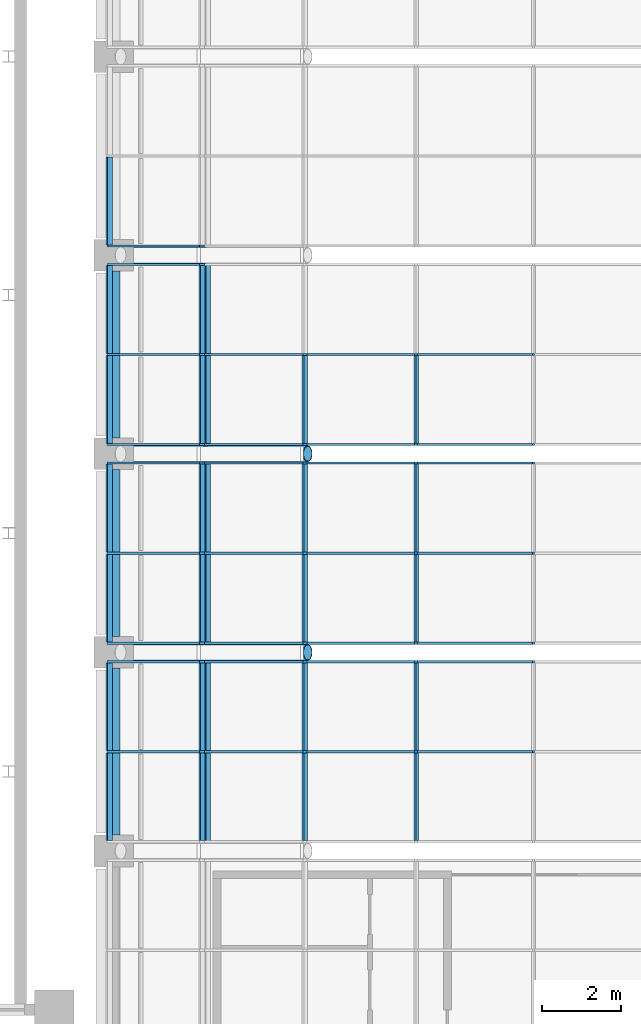
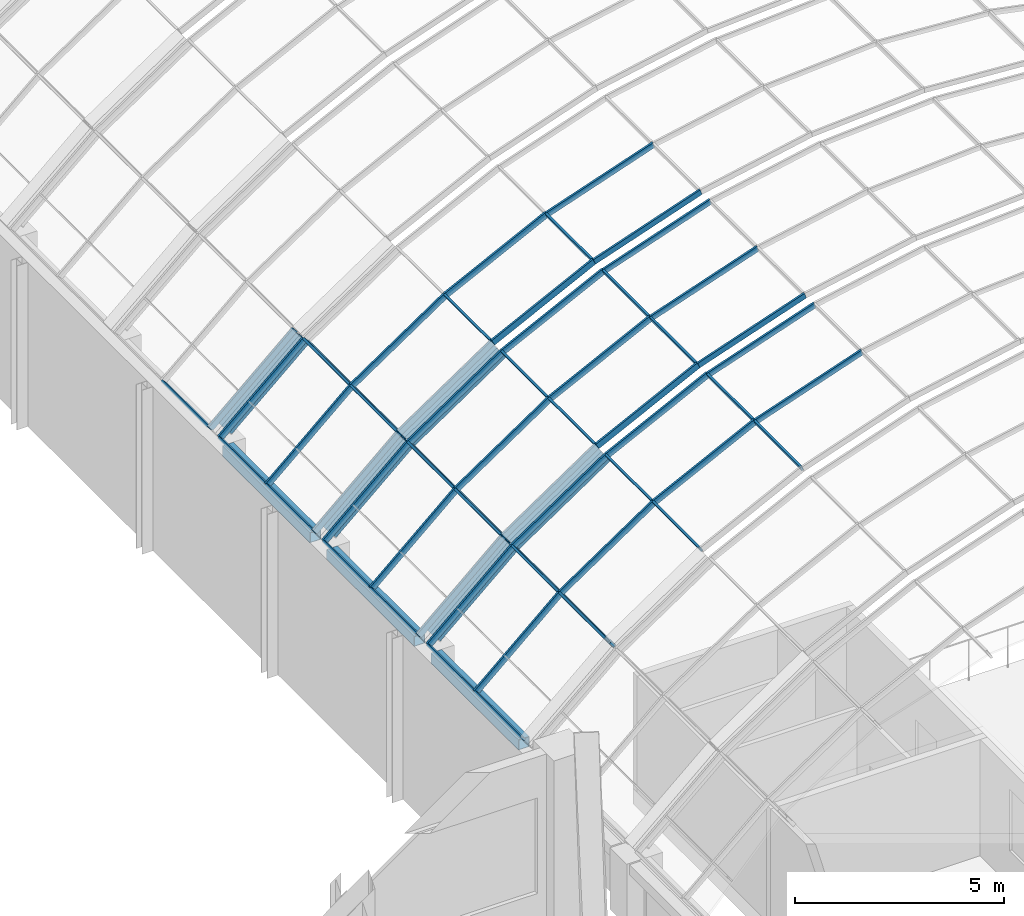
# One storey, part 51 of 182: 61 members, 3 beams, 4 elements without a shape of their own.
"""IFC4 building model written with IfcOpenShell, lengths in metres."""

from ifc_helpers import new_model, si_unit, direction, frame, origin, origin_2d, place, context, subcontext, project, spatial, rectangle, hollow_rectangle, hollow_circle, extrude, material, material_profile, profile_set, type_object, element, aggregate, save


model = new_model("IFC4")

# Units and contexts
model_context = context("Model", 3, precision=1e-05, world=origin(), true_north=direction((0.0, 1.0)))
body_context = subcontext(model_context, "Body", "Model", "MODEL_VIEW")
ifc_project = project(units=[si_unit("LENGTHUNIT", "METRE"), si_unit("AREAUNIT", "SQUARE_METRE"), si_unit("VOLUMEUNIT", "CUBIC_METRE"), si_unit("PLANEANGLEUNIT", "RADIAN"), si_unit("MASSUNIT", "GRAM", prefix="KILO")], contexts=[model_context])

# Site, building, storey
site_placement = place(None, origin())
site = spatial("IfcSite", under=ifc_project, at=site_placement, CompositionType="ELEMENT")
building_placement = place(site_placement, origin())
building = spatial("IfcBuilding", under=site, at=building_placement, Name="Okhra Congress Centre", CompositionType="ELEMENT")
storey_placement = place(building_placement, frame((0.0, 0.0, 7.199951171875)))
storey = spatial("IfcBuildingStorey", under=building, at=storey_placement, Name="L01", CompositionType="ELEMENT", Elevation=7.199951171875)

# Curtain wall, members
ifc_material_1 = material(Name="Aluminium frame with triple glazing", Category="aluminium")
curtain_wall_type = type_object("IfcCurtainWallType", Name="Glazed vault bay curtain wall", PredefinedType="NOTDEFINED", material=ifc_material_1)
curtain_wall_1_placement = place(storey_placement, origin())
curtain_wall_1 = element("IfcCurtainWall", 1, at=curtain_wall_1_placement, inside=storey, type_object=curtain_wall_type, Name="Vault glazing bay 13", PredefinedType="NOTDEFINED")
ifc_material_2 = material(Name="Aluminium alloy 6063", Category="aluminium")
ifc_material_profile_1 = material_profile(ifc_material_2, rectangle(XDim=0.06005859375, YDim=0.159912109375, at=origin_2d()), Name="AL 60x160")
ifc_profile_set_1 = profile_set([ifc_material_profile_1], Name="Aluminium alloy 6063")
member_type_1 = type_object("IfcMemberType", Name="Aluminium mullion 60x160", PredefinedType="MULLION", material=ifc_profile_set_1)
member_1_placement = place(storey_placement, frame((163.11328125, 138.5, 7.12255859375), z_axis=(0.946065064306, 0.0, 0.323976687587), x_axis=(0.0, 1.0, 0.0)))
member_1 = element("IfcMember", 2, at=member_1_placement, type_object=member_type_1, Name="Vault mullion 13.2.4", PredefinedType="MULLION", context=body_context, shape_type="SweptSolid", body=[
    extrude(rectangle(XDim=0.06005859375, YDim=0.159912109375, at=origin_2d()), origin(), (0.0, 0.0, 1.0), 3.124267578125),
])
member_2_placement = place(storey_placement, frame((163.11328125, 140.766845703125, 7.12255859375), z_axis=(0.946065064306, 0.0, 0.323976687587), x_axis=(0.0, 1.0, 0.0)))
member_2 = element("IfcMember", 3, at=member_2_placement, type_object=member_type_1, Name="Vault mullion 13.3.4", PredefinedType="MULLION", context=body_context, shape_type="SweptSolid", body=[
    extrude(rectangle(XDim=0.06005859375, YDim=0.159912109375, at=origin_2d()), origin(), (0.0, 0.0, 1.0), 3.124267578125),
])

curtain_wall_2_placement = place(storey_placement, origin())
curtain_wall_2 = element("IfcCurtainWall", 4, at=curtain_wall_2_placement, inside=storey, type_object=curtain_wall_type, Name="Vault glazing bay 14", PredefinedType="NOTDEFINED")
member_3_placement = place(storey_placement, frame((163.11328125, 141.233154296875, 7.12255859375), z_axis=(0.946065064306, 0.0, 0.323976687587), x_axis=(0.0, 1.0, 0.0)))
member_3 = element("IfcMember", 5, at=member_3_placement, type_object=member_type_1, Name="Vault mullion 14.1.4", PredefinedType="MULLION", context=body_context, shape_type="SweptSolid", body=[
    extrude(rectangle(XDim=0.06005859375, YDim=0.159912109375, at=origin_2d()), origin(), (0.0, 0.0, 1.0), 3.124267578125),
])
member_4_placement = place(storey_placement, frame((163.11328125, 143.5, 7.12255859375), z_axis=(0.946065064306, 0.0, 0.323976687587), x_axis=(0.0, 1.0, 0.0)))
member_4 = element("IfcMember", 6, at=member_4_placement, type_object=member_type_1, Name="Vault mullion 14.2.4", PredefinedType="MULLION", context=body_context, shape_type="SweptSolid", body=[
    extrude(rectangle(XDim=0.06005859375, YDim=0.159912109375, at=origin_2d()), origin(), (0.0, 0.0, 1.0), 3.124267578125),
])
member_5_placement = place(storey_placement, frame((163.11328125, 145.766845703125, 7.12255859375), z_axis=(0.946065064306, 0.0, 0.323976687587), x_axis=(0.0, 1.0, 0.0)))
member_5 = element("IfcMember", 7, at=member_5_placement, type_object=member_type_1, Name="Vault mullion 14.3.4", PredefinedType="MULLION", context=body_context, shape_type="SweptSolid", body=[
    extrude(rectangle(XDim=0.06005859375, YDim=0.159912109375, at=origin_2d()), origin(), (0.0, 0.0, 1.0), 3.124267578125),
])

curtain_wall_3_placement = place(storey_placement, origin())
curtain_wall_3 = element("IfcCurtainWall", 8, at=curtain_wall_3_placement, inside=storey, type_object=curtain_wall_type, Name="Vault glazing bay 15", PredefinedType="NOTDEFINED")
member_6_placement = place(storey_placement, frame((163.11328125, 146.233154296875, 7.12255859375), z_axis=(0.946065064306, 0.0, 0.323976687587), x_axis=(0.0, 1.0, 0.0)))
member_6 = element("IfcMember", 9, at=member_6_placement, type_object=member_type_1, Name="Vault mullion 15.1.4", PredefinedType="MULLION", context=body_context, shape_type="SweptSolid", body=[
    extrude(rectangle(XDim=0.06005859375, YDim=0.159912109375, at=origin_2d()), origin(), (0.0, 0.0, 1.0), 3.124267578125),
])
member_7_placement = place(storey_placement, frame((163.11328125, 148.5, 7.12255859375), z_axis=(0.946065064306, 0.0, 0.323976687587), x_axis=(0.0, 1.0, 0.0)))
member_7 = element("IfcMember", 10, at=member_7_placement, type_object=member_type_1, Name="Vault mullion 15.2.4", PredefinedType="MULLION", context=body_context, shape_type="SweptSolid", body=[
    extrude(rectangle(XDim=0.06005859375, YDim=0.159912109375, at=origin_2d()), origin(), (0.0, 0.0, 1.0), 3.124267578125),
])

# Member
ifc_material_profile_2 = material_profile(ifc_material_2, rectangle(XDim=0.06005859375, YDim=0.179931640625, at=origin_2d()), Name="AL 60x180")
ifc_profile_set_2 = profile_set([ifc_material_profile_2], Name="Aluminium alloy 6063")
member_type_2 = type_object("IfcMemberType", Name="Aluminium mullion 60x180", PredefinedType="MULLION", material=ifc_profile_set_2)
member_8_placement = place(storey_placement, frame((155.382568359375, 138.5, 1.916015625), z_axis=(0.748025229923, 0.0, 0.663670291183), x_axis=(0.0, 1.0, 0.0)))
member_8 = element("IfcMember", 11, at=member_8_placement, type_object=member_type_2, Name="Vault mullion 13.2.1", PredefinedType="MULLION", context=body_context, shape_type="SweptSolid", body=[
    extrude(rectangle(XDim=0.06005859375, YDim=0.179931640625, at=origin_2d()), origin(), (0.0, 0.0, 1.0), 3.125732421875),
])

member_9_placement = place(storey_placement, frame((157.720703125, 138.5, 3.990478515625), z_axis=(0.828827846338, 0.0, 0.559503709671), x_axis=(0.0, 1.0, 0.0)))
member_9 = element("IfcMember", 12, at=member_9_placement, type_object=member_type_2, Name="Vault mullion 13.2.2", PredefinedType="MULLION", context=body_context, shape_type="SweptSolid", body=[
    extrude(rectangle(XDim=0.06005859375, YDim=0.179931640625, at=origin_2d()), origin(), (0.0, 0.0, 1.0), 3.12548828125),
])

member_10_placement = place(storey_placement, frame((160.311279296875, 138.5, 5.7392578125), z_axis=(0.895253656313, 0.0, 0.445556832354), x_axis=(0.0, 1.0, 0.0)))
member_10 = element("IfcMember", 13, at=member_10_placement, type_object=member_type_2, Name="Vault mullion 13.2.3", PredefinedType="MULLION", context=body_context, shape_type="SweptSolid", body=[
    extrude(rectangle(XDim=0.06005859375, YDim=0.179931640625, at=origin_2d()), origin(), (0.0, 0.0, 1.0), 3.12548828125),
])

member_11_placement = place(storey_placement, frame((155.382568359375, 140.766845703125, 1.916015625), z_axis=(0.748025229923, 0.0, 0.663670291183), x_axis=(0.0, 1.0, 0.0)))
member_11 = element("IfcMember", 14, at=member_11_placement, type_object=member_type_2, Name="Vault mullion 13.3.1", PredefinedType="MULLION", context=body_context, shape_type="SweptSolid", body=[
    extrude(rectangle(XDim=0.06005859375, YDim=0.179931640625, at=origin_2d()), origin(), (0.0, 0.0, 1.0), 3.125732421875),
])

member_12_placement = place(storey_placement, frame((157.720703125, 140.766845703125, 3.990478515625), z_axis=(0.828827846338, 0.0, 0.559503709671), x_axis=(0.0, 1.0, 0.0)))
member_12 = element("IfcMember", 15, at=member_12_placement, type_object=member_type_2, Name="Vault mullion 13.3.2", PredefinedType="MULLION", context=body_context, shape_type="SweptSolid", body=[
    extrude(rectangle(XDim=0.06005859375, YDim=0.179931640625, at=origin_2d()), origin(), (0.0, 0.0, 1.0), 3.12548828125),
])

member_13_placement = place(storey_placement, frame((160.311279296875, 140.766845703125, 5.7392578125), z_axis=(0.895253656313, 0.0, 0.445556832354), x_axis=(0.0, 1.0, 0.0)))
member_13 = element("IfcMember", 16, at=member_13_placement, type_object=member_type_2, Name="Vault mullion 13.3.3", PredefinedType="MULLION", context=body_context, shape_type="SweptSolid", body=[
    extrude(rectangle(XDim=0.06005859375, YDim=0.179931640625, at=origin_2d()), origin(), (0.0, 0.0, 1.0), 3.12548828125),
])

member_14_placement = place(storey_placement, frame((155.382568359375, 141.233154296875, 1.916015625), z_axis=(0.748025229923, 0.0, 0.663670291183), x_axis=(0.0, 1.0, 0.0)))
member_14 = element("IfcMember", 17, at=member_14_placement, type_object=member_type_2, Name="Vault mullion 14.1.1", PredefinedType="MULLION", context=body_context, shape_type="SweptSolid", body=[
    extrude(rectangle(XDim=0.06005859375, YDim=0.179931640625, at=origin_2d()), origin(), (0.0, 0.0, 1.0), 3.125732421875),
])

member_15_placement = place(storey_placement, frame((157.720703125, 141.233154296875, 3.990478515625), z_axis=(0.828827846338, 0.0, 0.559503709671), x_axis=(0.0, 1.0, 0.0)))
member_15 = element("IfcMember", 18, at=member_15_placement, type_object=member_type_2, Name="Vault mullion 14.1.2", PredefinedType="MULLION", context=body_context, shape_type="SweptSolid", body=[
    extrude(rectangle(XDim=0.06005859375, YDim=0.179931640625, at=origin_2d()), origin(), (0.0, 0.0, 1.0), 3.12548828125),
])

member_16_placement = place(storey_placement, frame((160.311279296875, 141.233154296875, 5.7392578125), z_axis=(0.895253656313, 0.0, 0.445556832354), x_axis=(0.0, 1.0, 0.0)))
member_16 = element("IfcMember", 19, at=member_16_placement, type_object=member_type_2, Name="Vault mullion 14.1.3", PredefinedType="MULLION", context=body_context, shape_type="SweptSolid", body=[
    extrude(rectangle(XDim=0.06005859375, YDim=0.179931640625, at=origin_2d()), origin(), (0.0, 0.0, 1.0), 3.12548828125),
])

member_17_placement = place(storey_placement, frame((155.382568359375, 143.5, 1.916015625), z_axis=(0.748025229923, 0.0, 0.663670291183), x_axis=(0.0, 1.0, 0.0)))
member_17 = element("IfcMember", 20, at=member_17_placement, type_object=member_type_2, Name="Vault mullion 14.2.1", PredefinedType="MULLION", context=body_context, shape_type="SweptSolid", body=[
    extrude(rectangle(XDim=0.06005859375, YDim=0.179931640625, at=origin_2d()), origin(), (0.0, 0.0, 1.0), 3.125732421875),
])

member_18_placement = place(storey_placement, frame((157.720703125, 143.5, 3.990478515625), z_axis=(0.828827846338, 0.0, 0.559503709671), x_axis=(0.0, 1.0, 0.0)))
member_18 = element("IfcMember", 21, at=member_18_placement, type_object=member_type_2, Name="Vault mullion 14.2.2", PredefinedType="MULLION", context=body_context, shape_type="SweptSolid", body=[
    extrude(rectangle(XDim=0.06005859375, YDim=0.179931640625, at=origin_2d()), origin(), (0.0, 0.0, 1.0), 3.12548828125),
])

member_19_placement = place(storey_placement, frame((160.311279296875, 143.5, 5.7392578125), z_axis=(0.895253656313, 0.0, 0.445556832354), x_axis=(0.0, 1.0, 0.0)))
member_19 = element("IfcMember", 22, at=member_19_placement, type_object=member_type_2, Name="Vault mullion 14.2.3", PredefinedType="MULLION", context=body_context, shape_type="SweptSolid", body=[
    extrude(rectangle(XDim=0.06005859375, YDim=0.179931640625, at=origin_2d()), origin(), (0.0, 0.0, 1.0), 3.12548828125),
])

member_20_placement = place(storey_placement, frame((155.382568359375, 145.766845703125, 1.916015625), z_axis=(0.748025229923, 0.0, 0.663670291183), x_axis=(0.0, 1.0, 0.0)))
member_20 = element("IfcMember", 23, at=member_20_placement, type_object=member_type_2, Name="Vault mullion 14.3.1", PredefinedType="MULLION", context=body_context, shape_type="SweptSolid", body=[
    extrude(rectangle(XDim=0.06005859375, YDim=0.179931640625, at=origin_2d()), origin(), (0.0, 0.0, 1.0), 3.125732421875),
])

member_21_placement = place(storey_placement, frame((157.720703125, 145.766845703125, 3.990478515625), z_axis=(0.828827846338, 0.0, 0.559503709671), x_axis=(0.0, 1.0, 0.0)))
member_21 = element("IfcMember", 24, at=member_21_placement, type_object=member_type_2, Name="Vault mullion 14.3.2", PredefinedType="MULLION", context=body_context, shape_type="SweptSolid", body=[
    extrude(rectangle(XDim=0.06005859375, YDim=0.179931640625, at=origin_2d()), origin(), (0.0, 0.0, 1.0), 3.12548828125),
])

member_22_placement = place(storey_placement, frame((160.311279296875, 145.766845703125, 5.7392578125), z_axis=(0.895253656313, 0.0, 0.445556832354), x_axis=(0.0, 1.0, 0.0)))
member_22 = element("IfcMember", 25, at=member_22_placement, type_object=member_type_2, Name="Vault mullion 14.3.3", PredefinedType="MULLION", context=body_context, shape_type="SweptSolid", body=[
    extrude(rectangle(XDim=0.06005859375, YDim=0.179931640625, at=origin_2d()), origin(), (0.0, 0.0, 1.0), 3.12548828125),
])

member_23_placement = place(storey_placement, frame((155.382568359375, 146.233154296875, 1.916015625), z_axis=(0.748025229923, 0.0, 0.663670291183), x_axis=(0.0, 1.0, 0.0)))
member_23 = element("IfcMember", 26, at=member_23_placement, type_object=member_type_2, Name="Vault mullion 15.1.1", PredefinedType="MULLION", context=body_context, shape_type="SweptSolid", body=[
    extrude(rectangle(XDim=0.06005859375, YDim=0.179931640625, at=origin_2d()), origin(), (0.0, 0.0, 1.0), 3.125732421875),
])

member_24_placement = place(storey_placement, frame((157.720703125, 146.233154296875, 3.990478515625), z_axis=(0.828827846338, 0.0, 0.559503709671), x_axis=(0.0, 1.0, 0.0)))
member_24 = element("IfcMember", 27, at=member_24_placement, type_object=member_type_2, Name="Vault mullion 15.1.2", PredefinedType="MULLION", context=body_context, shape_type="SweptSolid", body=[
    extrude(rectangle(XDim=0.06005859375, YDim=0.179931640625, at=origin_2d()), origin(), (0.0, 0.0, 1.0), 3.12548828125),
])

member_25_placement = place(storey_placement, frame((160.311279296875, 146.233154296875, 5.7392578125), z_axis=(0.895253656313, 0.0, 0.445556832354), x_axis=(0.0, 1.0, 0.0)))
member_25 = element("IfcMember", 28, at=member_25_placement, type_object=member_type_2, Name="Vault mullion 15.1.3", PredefinedType="MULLION", context=body_context, shape_type="SweptSolid", body=[
    extrude(rectangle(XDim=0.06005859375, YDim=0.179931640625, at=origin_2d()), origin(), (0.0, 0.0, 1.0), 3.12548828125),
])

member_26_placement = place(storey_placement, frame((155.382568359375, 148.5, 1.916015625), z_axis=(0.748025229923, 0.0, 0.663670291183), x_axis=(0.0, 1.0, 0.0)))
member_26 = element("IfcMember", 29, at=member_26_placement, type_object=member_type_2, Name="Vault mullion 15.2.1", PredefinedType="MULLION", context=body_context, shape_type="SweptSolid", body=[
    extrude(rectangle(XDim=0.06005859375, YDim=0.179931640625, at=origin_2d()), origin(), (0.0, 0.0, 1.0), 3.125732421875),
])

member_27_placement = place(storey_placement, frame((157.720703125, 148.5, 3.990478515625), z_axis=(0.828827846338, 0.0, 0.559503709671), x_axis=(0.0, 1.0, 0.0)))
member_27 = element("IfcMember", 30, at=member_27_placement, type_object=member_type_2, Name="Vault mullion 15.2.2", PredefinedType="MULLION", context=body_context, shape_type="SweptSolid", body=[
    extrude(rectangle(XDim=0.06005859375, YDim=0.179931640625, at=origin_2d()), origin(), (0.0, 0.0, 1.0), 3.12548828125),
])

member_28_placement = place(storey_placement, frame((160.311279296875, 148.5, 5.7392578125), z_axis=(0.895253656313, 0.0, 0.445556832354), x_axis=(0.0, 1.0, 0.0)))
member_28 = element("IfcMember", 31, at=member_28_placement, type_object=member_type_2, Name="Vault mullion 15.2.3", PredefinedType="MULLION", context=body_context, shape_type="SweptSolid", body=[
    extrude(rectangle(XDim=0.06005859375, YDim=0.179931640625, at=origin_2d()), origin(), (0.0, 0.0, 1.0), 3.12548828125),
])

member_29_placement = place(storey_placement, frame((155.382568359375, 150.766845703125, 1.916015625), z_axis=(0.748025229923, 0.0, 0.663670291183), x_axis=(0.0, 1.0, 0.0)))
member_29 = element("IfcMember", 32, at=member_29_placement, type_object=member_type_2, Name="Vault mullion 15.3.1", PredefinedType="MULLION", context=body_context, shape_type="SweptSolid", body=[
    extrude(rectangle(XDim=0.06005859375, YDim=0.179931640625, at=origin_2d()), origin(), (0.0, 0.0, 1.0), 3.125732421875),
])

# Curtain wall, member
curtain_wall_4_placement = place(storey_placement, origin())
curtain_wall_4 = element("IfcCurtainWall", 33, at=curtain_wall_4_placement, inside=storey, type_object=curtain_wall_type, Name="Vault glazing bay 16", PredefinedType="NOTDEFINED")
member_30_placement = place(storey_placement, frame((155.382568359375, 151.233154296875, 1.916015625), z_axis=(0.748025229923, 0.0, 0.663670291183), x_axis=(0.0, 1.0, 0.0)))
member_30 = element("IfcMember", 34, at=member_30_placement, type_object=member_type_2, Name="Vault mullion 16.1.1", PredefinedType="MULLION", context=body_context, shape_type="SweptSolid", body=[
    extrude(rectangle(XDim=0.06005859375, YDim=0.179931640625, at=origin_2d()), origin(), (0.0, 0.0, 1.0), 3.125732421875),
])

# Member
ifc_material_profile_3 = material_profile(ifc_material_2, rectangle(XDim=0.06005859375, YDim=0.159912109375, at=origin_2d()), Name="AL 60x160 transom")
ifc_profile_set_3 = profile_set([ifc_material_profile_3], Name="Aluminium alloy 6063")
member_type_3 = type_object("IfcMemberType", Name="Aluminium transom 60x160", PredefinedType="USERDEFINED", material=ifc_profile_set_3)
member_31_placement = place(storey_placement, frame((163.11328125, 136.26318359375, 7.12255859375), z_axis=(0.0, 1.0, 0.0), x_axis=(-0.922668973833, 0.0, -0.38559300399)))
member_31 = element("IfcMember", 35, at=member_31_placement, type_object=member_type_3, Name="Vault transom 13.1.4", ObjectType="TRANSOM", PredefinedType="USERDEFINED", context=body_context, shape_type="SweptSolid", body=[
    extrude(rectangle(XDim=0.06005859375, YDim=0.159912109375, at=origin_2d()), origin(), (0.0, 0.0, 1.0), 2.206787109375),
])

member_32_placement = place(storey_placement, frame((163.11328125, 138.530029296875, 7.12255859375), z_axis=(0.0, 1.0, 0.0), x_axis=(-0.922668973833, 0.0, -0.38559300399)))
member_32 = element("IfcMember", 36, at=member_32_placement, type_object=member_type_3, Name="Vault transom 13.2.4", ObjectType="TRANSOM", PredefinedType="USERDEFINED", context=body_context, shape_type="SweptSolid", body=[
    extrude(rectangle(XDim=0.06005859375, YDim=0.159912109375, at=origin_2d()), origin(), (0.0, 0.0, 1.0), 2.206787109375),
])

member_33_placement = place(storey_placement, frame((163.11328125, 141.26318359375, 7.12255859375), z_axis=(0.0, 1.0, 0.0), x_axis=(-0.922668973833, 0.0, -0.38559300399)))
member_33 = element("IfcMember", 37, at=member_33_placement, type_object=member_type_3, Name="Vault transom 14.1.4", ObjectType="TRANSOM", PredefinedType="USERDEFINED", context=body_context, shape_type="SweptSolid", body=[
    extrude(rectangle(XDim=0.06005859375, YDim=0.159912109375, at=origin_2d()), origin(), (0.0, 0.0, 1.0), 2.206787109375),
])

member_34_placement = place(storey_placement, frame((163.11328125, 143.530029296875, 7.12255859375), z_axis=(0.0, 1.0, 0.0), x_axis=(-0.922668973833, 0.0, -0.38559300399)))
member_34 = element("IfcMember", 38, at=member_34_placement, type_object=member_type_3, Name="Vault transom 14.2.4", ObjectType="TRANSOM", PredefinedType="USERDEFINED", context=body_context, shape_type="SweptSolid", body=[
    extrude(rectangle(XDim=0.06005859375, YDim=0.159912109375, at=origin_2d()), origin(), (0.0, 0.0, 1.0), 2.206787109375),
])

member_35_placement = place(storey_placement, frame((163.11328125, 146.26318359375, 7.12255859375), z_axis=(0.0, 1.0, 0.0), x_axis=(-0.922668973833, 0.0, -0.38559300399)))
member_35 = element("IfcMember", 39, at=member_35_placement, type_object=member_type_3, Name="Vault transom 15.1.4", ObjectType="TRANSOM", PredefinedType="USERDEFINED", context=body_context, shape_type="SweptSolid", body=[
    extrude(rectangle(XDim=0.06005859375, YDim=0.159912109375, at=origin_2d()), origin(), (0.0, 0.0, 1.0), 2.206787109375),
])

ifc_material_profile_4 = material_profile(ifc_material_2, rectangle(XDim=0.06005859375, YDim=0.179931640625, at=origin_2d()), Name="AL 60x180 transom")
ifc_profile_set_4 = profile_set([ifc_material_profile_4], Name="Aluminium alloy 6063")
member_type_4 = type_object("IfcMemberType", Name="Aluminium transom 60x180", PredefinedType="USERDEFINED", material=ifc_profile_set_4)
member_36_placement = place(storey_placement, frame((155.382568359375, 136.26318359375, 1.916015625), z_axis=(0.0, 1.0, 0.0), x_axis=(-0.702636070549, 0.0, -0.711549402616)))
member_36 = element("IfcMember", 40, at=member_36_placement, type_object=member_type_4, Name="Vault transom 13.1.1", ObjectType="TRANSOM", PredefinedType="USERDEFINED", context=body_context, shape_type="SweptSolid", body=[
    extrude(rectangle(XDim=0.06005859375, YDim=0.179931640625, at=origin_2d()), origin(), (0.0, 0.0, 1.0), 2.206787109375),
])

member_37_placement = place(storey_placement, frame((157.720703125, 136.26318359375, 3.990478515625), z_axis=(0.0, 1.0, 0.0), x_axis=(-0.790145035185, 0.0, -0.612919915954)))
member_37 = element("IfcMember", 41, at=member_37_placement, type_object=member_type_4, Name="Vault transom 13.1.2", ObjectType="TRANSOM", PredefinedType="USERDEFINED", context=body_context, shape_type="SweptSolid", body=[
    extrude(rectangle(XDim=0.06005859375, YDim=0.179931640625, at=origin_2d()), origin(), (0.0, 0.0, 1.0), 2.206787109375),
])

member_38_placement = place(storey_placement, frame((160.311279296875, 136.26318359375, 5.7392578125), z_axis=(0.0, 1.0, 0.0), x_axis=(-0.86391685861, 0.0, -0.503634452167)))
member_38 = element("IfcMember", 42, at=member_38_placement, type_object=member_type_4, Name="Vault transom 13.1.3", ObjectType="TRANSOM", PredefinedType="USERDEFINED", context=body_context, shape_type="SweptSolid", body=[
    extrude(rectangle(XDim=0.06005859375, YDim=0.179931640625, at=origin_2d()), origin(), (0.0, 0.0, 1.0), 2.206787109375),
])

member_39_placement = place(storey_placement, frame((155.382568359375, 138.530029296875, 1.916015625), z_axis=(0.0, 1.0, 0.0), x_axis=(-0.702636070549, 0.0, -0.711549402616)))
member_39 = element("IfcMember", 43, at=member_39_placement, type_object=member_type_4, Name="Vault transom 13.2.1", ObjectType="TRANSOM", PredefinedType="USERDEFINED", context=body_context, shape_type="SweptSolid", body=[
    extrude(rectangle(XDim=0.06005859375, YDim=0.179931640625, at=origin_2d()), origin(), (0.0, 0.0, 1.0), 2.206787109375),
])

member_40_placement = place(storey_placement, frame((157.720703125, 138.530029296875, 3.990478515625), z_axis=(0.0, 1.0, 0.0), x_axis=(-0.790145035185, 0.0, -0.612919915954)))
member_40 = element("IfcMember", 44, at=member_40_placement, type_object=member_type_4, Name="Vault transom 13.2.2", ObjectType="TRANSOM", PredefinedType="USERDEFINED", context=body_context, shape_type="SweptSolid", body=[
    extrude(rectangle(XDim=0.06005859375, YDim=0.179931640625, at=origin_2d()), origin(), (0.0, 0.0, 1.0), 2.206787109375),
])

member_41_placement = place(storey_placement, frame((160.311279296875, 138.530029296875, 5.7392578125), z_axis=(0.0, 1.0, 0.0), x_axis=(-0.86391685861, 0.0, -0.503634452167)))
member_41 = element("IfcMember", 45, at=member_41_placement, type_object=member_type_4, Name="Vault transom 13.2.3", ObjectType="TRANSOM", PredefinedType="USERDEFINED", context=body_context, shape_type="SweptSolid", body=[
    extrude(rectangle(XDim=0.06005859375, YDim=0.179931640625, at=origin_2d()), origin(), (0.0, 0.0, 1.0), 2.206787109375),
])

aggregate(curtain_wall_1, [member_8, member_9, member_10, member_1, member_11, member_12, member_13, member_2, member_36, member_37, member_38, member_31, member_39, member_40, member_41, member_32])

member_42_placement = place(storey_placement, frame((155.382568359375, 141.26318359375, 1.916015625), z_axis=(0.0, 1.0, 0.0), x_axis=(-0.702636070549, 0.0, -0.711549402616)))
member_42 = element("IfcMember", 46, at=member_42_placement, type_object=member_type_4, Name="Vault transom 14.1.1", ObjectType="TRANSOM", PredefinedType="USERDEFINED", context=body_context, shape_type="SweptSolid", body=[
    extrude(rectangle(XDim=0.06005859375, YDim=0.179931640625, at=origin_2d()), origin(), (0.0, 0.0, 1.0), 2.206787109375),
])

member_43_placement = place(storey_placement, frame((157.720703125, 141.26318359375, 3.990478515625), z_axis=(0.0, 1.0, 0.0), x_axis=(-0.790145035185, 0.0, -0.612919915954)))
member_43 = element("IfcMember", 47, at=member_43_placement, type_object=member_type_4, Name="Vault transom 14.1.2", ObjectType="TRANSOM", PredefinedType="USERDEFINED", context=body_context, shape_type="SweptSolid", body=[
    extrude(rectangle(XDim=0.06005859375, YDim=0.179931640625, at=origin_2d()), origin(), (0.0, 0.0, 1.0), 2.206787109375),
])

member_44_placement = place(storey_placement, frame((160.311279296875, 141.26318359375, 5.7392578125), z_axis=(0.0, 1.0, 0.0), x_axis=(-0.86391685861, 0.0, -0.503634452167)))
member_44 = element("IfcMember", 48, at=member_44_placement, type_object=member_type_4, Name="Vault transom 14.1.3", ObjectType="TRANSOM", PredefinedType="USERDEFINED", context=body_context, shape_type="SweptSolid", body=[
    extrude(rectangle(XDim=0.06005859375, YDim=0.179931640625, at=origin_2d()), origin(), (0.0, 0.0, 1.0), 2.206787109375),
])

member_45_placement = place(storey_placement, frame((155.382568359375, 143.530029296875, 1.916015625), z_axis=(0.0, 1.0, 0.0), x_axis=(-0.702636070549, 0.0, -0.711549402616)))
member_45 = element("IfcMember", 49, at=member_45_placement, type_object=member_type_4, Name="Vault transom 14.2.1", ObjectType="TRANSOM", PredefinedType="USERDEFINED", context=body_context, shape_type="SweptSolid", body=[
    extrude(rectangle(XDim=0.06005859375, YDim=0.179931640625, at=origin_2d()), origin(), (0.0, 0.0, 1.0), 2.206787109375),
])

member_46_placement = place(storey_placement, frame((157.720703125, 143.530029296875, 3.990478515625), z_axis=(0.0, 1.0, 0.0), x_axis=(-0.790145035185, 0.0, -0.612919915954)))
member_46 = element("IfcMember", 50, at=member_46_placement, type_object=member_type_4, Name="Vault transom 14.2.2", ObjectType="TRANSOM", PredefinedType="USERDEFINED", context=body_context, shape_type="SweptSolid", body=[
    extrude(rectangle(XDim=0.06005859375, YDim=0.179931640625, at=origin_2d()), origin(), (0.0, 0.0, 1.0), 2.206787109375),
])

member_47_placement = place(storey_placement, frame((160.311279296875, 143.530029296875, 5.7392578125), z_axis=(0.0, 1.0, 0.0), x_axis=(-0.86391685861, 0.0, -0.503634452167)))
member_47 = element("IfcMember", 51, at=member_47_placement, type_object=member_type_4, Name="Vault transom 14.2.3", ObjectType="TRANSOM", PredefinedType="USERDEFINED", context=body_context, shape_type="SweptSolid", body=[
    extrude(rectangle(XDim=0.06005859375, YDim=0.179931640625, at=origin_2d()), origin(), (0.0, 0.0, 1.0), 2.206787109375),
])

aggregate(curtain_wall_2, [member_14, member_15, member_16, member_3, member_17, member_18, member_19, member_4, member_20, member_21, member_22, member_5, member_42, member_43, member_44, member_33, member_45, member_46, member_47, member_34])

member_48_placement = place(storey_placement, frame((155.382568359375, 146.26318359375, 1.916015625), z_axis=(0.0, 1.0, 0.0), x_axis=(-0.702636070549, 0.0, -0.711549402616)))
member_48 = element("IfcMember", 52, at=member_48_placement, type_object=member_type_4, Name="Vault transom 15.1.1", ObjectType="TRANSOM", PredefinedType="USERDEFINED", context=body_context, shape_type="SweptSolid", body=[
    extrude(rectangle(XDim=0.06005859375, YDim=0.179931640625, at=origin_2d()), origin(), (0.0, 0.0, 1.0), 2.206787109375),
])

member_49_placement = place(storey_placement, frame((157.720703125, 146.26318359375, 3.990478515625), z_axis=(0.0, 1.0, 0.0), x_axis=(-0.790145035185, 0.0, -0.612919915954)))
member_49 = element("IfcMember", 53, at=member_49_placement, type_object=member_type_4, Name="Vault transom 15.1.2", ObjectType="TRANSOM", PredefinedType="USERDEFINED", context=body_context, shape_type="SweptSolid", body=[
    extrude(rectangle(XDim=0.06005859375, YDim=0.179931640625, at=origin_2d()), origin(), (0.0, 0.0, 1.0), 2.206787109375),
])

member_50_placement = place(storey_placement, frame((160.311279296875, 146.26318359375, 5.7392578125), z_axis=(0.0, 1.0, 0.0), x_axis=(-0.86391685861, 0.0, -0.503634452167)))
member_50 = element("IfcMember", 54, at=member_50_placement, type_object=member_type_4, Name="Vault transom 15.1.3", ObjectType="TRANSOM", PredefinedType="USERDEFINED", context=body_context, shape_type="SweptSolid", body=[
    extrude(rectangle(XDim=0.06005859375, YDim=0.179931640625, at=origin_2d()), origin(), (0.0, 0.0, 1.0), 2.206787109375),
])

member_51_placement = place(storey_placement, frame((155.382568359375, 148.530029296875, 1.916015625), z_axis=(0.0, 1.0, 0.0), x_axis=(-0.702636070549, 0.0, -0.711549402616)))
member_51 = element("IfcMember", 55, at=member_51_placement, type_object=member_type_4, Name="Vault transom 15.2.1", ObjectType="TRANSOM", PredefinedType="USERDEFINED", context=body_context, shape_type="SweptSolid", body=[
    extrude(rectangle(XDim=0.06005859375, YDim=0.179931640625, at=origin_2d()), origin(), (0.0, 0.0, 1.0), 2.206787109375),
])

member_52_placement = place(storey_placement, frame((157.720703125, 148.530029296875, 3.990478515625), z_axis=(0.0, 1.0, 0.0), x_axis=(-0.790145035185, 0.0, -0.612919915954)))
member_52 = element("IfcMember", 56, at=member_52_placement, type_object=member_type_4, Name="Vault transom 15.2.2", ObjectType="TRANSOM", PredefinedType="USERDEFINED", context=body_context, shape_type="SweptSolid", body=[
    extrude(rectangle(XDim=0.06005859375, YDim=0.179931640625, at=origin_2d()), origin(), (0.0, 0.0, 1.0), 2.206787109375),
])

aggregate(curtain_wall_3, [member_23, member_24, member_25, member_6, member_26, member_27, member_28, member_7, member_29, member_48, member_49, member_50, member_35, member_51, member_52])

member_53_placement = place(storey_placement, frame((155.382568359375, 151.26318359375, 1.916015625), z_axis=(0.0, 1.0, 0.0), x_axis=(-0.702636070549, 0.0, -0.711549402616)))
member_53 = element("IfcMember", 57, at=member_53_placement, type_object=member_type_4, Name="Vault transom 16.1.1", ObjectType="TRANSOM", PredefinedType="USERDEFINED", context=body_context, shape_type="SweptSolid", body=[
    extrude(rectangle(XDim=0.06005859375, YDim=0.179931640625, at=origin_2d()), origin(), (0.0, 0.0, 1.0), 2.206787109375),
])

aggregate(curtain_wall_4, [member_30, member_53])

# Beams
ifc_material_3 = material(Name="Steel S355J2", Category="steel")
ifc_material_profile_5 = material_profile(ifc_material_3, hollow_rectangle(XDim=0.300048828125, YDim=0.300048828125, WallThickness=0.012451171875, at=origin_2d()), Name="RHS 300x300x12.5")
ifc_profile_set_5 = profile_set([ifc_material_profile_5], Name="Steel S355J2")
beam_type = type_object("IfcBeamType", Name="Steel eaves beam RHS 300x300x12.5", PredefinedType="BEAM", material=ifc_profile_set_5)
for number, where, z_axis, x_axis, name in (
    (58, (155.5, 136.39990234375, 1.650146484375), (0.0, 1.0, 0.0), (-1.0, 0.0, 0.0), "Eaves beam W13"),
    (59, (155.5, 141.39990234375, 1.650146484375), (0.0, 1.0, 0.0), (-1.0, 0.0, 0.0), "Eaves beam W14"),
    (60, (155.5, 146.39990234375, 1.650146484375), (0.0, 1.0, 0.0), (-1.0, 0.0, 0.0), "Eaves beam W15"),
):
    element("IfcBeam", number, at=place(storey_placement, frame(where, z_axis=z_axis, x_axis=x_axis)), inside=storey, type_object=beam_type, Name=name, PredefinedType="BEAM", context=body_context, shape_type="SweptSolid", body=[
        extrude(hollow_rectangle(XDim=0.300048828125, YDim=0.300048828125, WallThickness=0.012451171875, at=origin_2d()), origin(), (0.0, 0.0, 1.0), 4.2001953125),
    ])

# Members
ifc_material_profile_6 = material_profile(ifc_material_3, hollow_rectangle(XDim=0.10009765625, YDim=0.199951171875, WallThickness=0.008056640625, at=origin_2d()), Name="RHS 200x100x8")
ifc_profile_set_6 = profile_set([ifc_material_profile_6], Name="Steel S355J2")
member_type_5 = type_object("IfcMemberType", Name="Steel purlin RHS 200x100x8", PredefinedType="PURLIN", material=ifc_profile_set_6)
for number, where, z_axis, x_axis, name in (
    (61, (157.837158203125, 136.203125, 3.84033203125), (0.0, 1.0, 0.0), (-0.790145035185, 0.0, -0.612919915954), "Vault purlin 13.1"),
    (62, (157.837158203125, 141.203125, 3.84033203125), (0.0, 1.0, 0.0), (-0.790145035185, 0.0, -0.612919915954), "Vault purlin 14.1"),
    (63, (157.837158203125, 146.203125, 3.84033203125), (0.0, 1.0, 0.0), (-0.790145035185, 0.0, -0.612919915954), "Vault purlin 15.1"),
):
    element("IfcMember", number, at=place(storey_placement, frame(where, z_axis=z_axis, x_axis=x_axis)), inside=storey, type_object=member_type_5, Name=name, PredefinedType="PURLIN", context=body_context, shape_type="SweptSolid", body=[
        extrude(hollow_rectangle(XDim=0.10009765625, YDim=0.199951171875, WallThickness=0.008056640625, at=origin_2d()), origin(), (0.0, 0.0, 1.0), 4.59375),
    ])
ifc_material_profile_7 = material_profile(ifc_material_3, hollow_circle(Radius=0.203125, WallThickness=0.01611328125, at=origin_2d()), Name="CHS 406.4x16")
ifc_profile_set_7 = profile_set([ifc_material_profile_7], Name="Steel S355J2")
member_type_6 = type_object("IfcMemberType", Name="Tubular steel arch rib CHS 406x16", PredefinedType="USERDEFINED", material=ifc_profile_set_7)
member_54_placement = place(storey_placement, frame((155.67138671875, 141.0, 1.9521484375), z_axis=(0.74800221093, 0.0, 0.663696235069), x_axis=(0.0, 1.0, 0.0)))
element("IfcMember", 64, at=member_54_placement, inside=storey, type_object=member_type_6, Name="Arch rib 14.1", ObjectType="Arch rib", PredefinedType="USERDEFINED", context=body_context, shape_type="SweptSolid", body=[
    extrude(hollow_circle(Radius=0.203125, WallThickness=0.01611328125, at=origin_2d()), origin(), (0.0, 0.0, 1.0), 2.861083984375),
])
member_55_placement = place(storey_placement, frame((157.8330078125, 141.0, 3.86767578125), z_axis=(0.82882567543, 0.0, 0.559506925558), x_axis=(0.0, 1.0, 0.0)))
element("IfcMember", 65, at=member_55_placement, inside=storey, type_object=member_type_6, Name="Arch rib 14.2", ObjectType="Arch rib", PredefinedType="USERDEFINED", context=body_context, shape_type="SweptSolid", body=[
    extrude(hollow_circle(Radius=0.203125, WallThickness=0.01611328125, at=origin_2d()), origin(), (0.0, 0.0, 1.0), 3.07666015625),
])
member_56_placement = place(storey_placement, frame((155.67138671875, 146.0, 1.9521484375), z_axis=(0.74800221093, 0.0, 0.663696235069), x_axis=(0.0, 1.0, 0.0)))
element("IfcMember", 66, at=member_56_placement, inside=storey, type_object=member_type_6, Name="Arch rib 15.1", ObjectType="Arch rib", PredefinedType="USERDEFINED", context=body_context, shape_type="SweptSolid", body=[
    extrude(hollow_circle(Radius=0.203125, WallThickness=0.01611328125, at=origin_2d()), origin(), (0.0, 0.0, 1.0), 2.861083984375),
])
member_57_placement = place(storey_placement, frame((157.8330078125, 146.0, 3.86767578125), z_axis=(0.82882567543, 0.0, 0.559506925558), x_axis=(0.0, 1.0, 0.0)))
element("IfcMember", 67, at=member_57_placement, inside=storey, type_object=member_type_6, Name="Arch rib 15.2", ObjectType="Arch rib", PredefinedType="USERDEFINED", context=body_context, shape_type="SweptSolid", body=[
    extrude(hollow_circle(Radius=0.203125, WallThickness=0.01611328125, at=origin_2d()), origin(), (0.0, 0.0, 1.0), 3.07666015625),
])
member_58_placement = place(storey_placement, frame((155.67138671875, 151.0, 1.9521484375), z_axis=(0.74800221093, 0.0, 0.663696235069), x_axis=(0.0, 1.0, 0.0)))
element("IfcMember", 68, at=member_58_placement, inside=storey, type_object=member_type_6, Name="Arch rib 16.1", ObjectType="Arch rib", PredefinedType="USERDEFINED", context=body_context, shape_type="SweptSolid", body=[
    extrude(hollow_circle(Radius=0.203125, WallThickness=0.01611328125, at=origin_2d()), origin(), (0.0, 0.0, 1.0), 2.861083984375),
])

save(model, "model.ifc")
